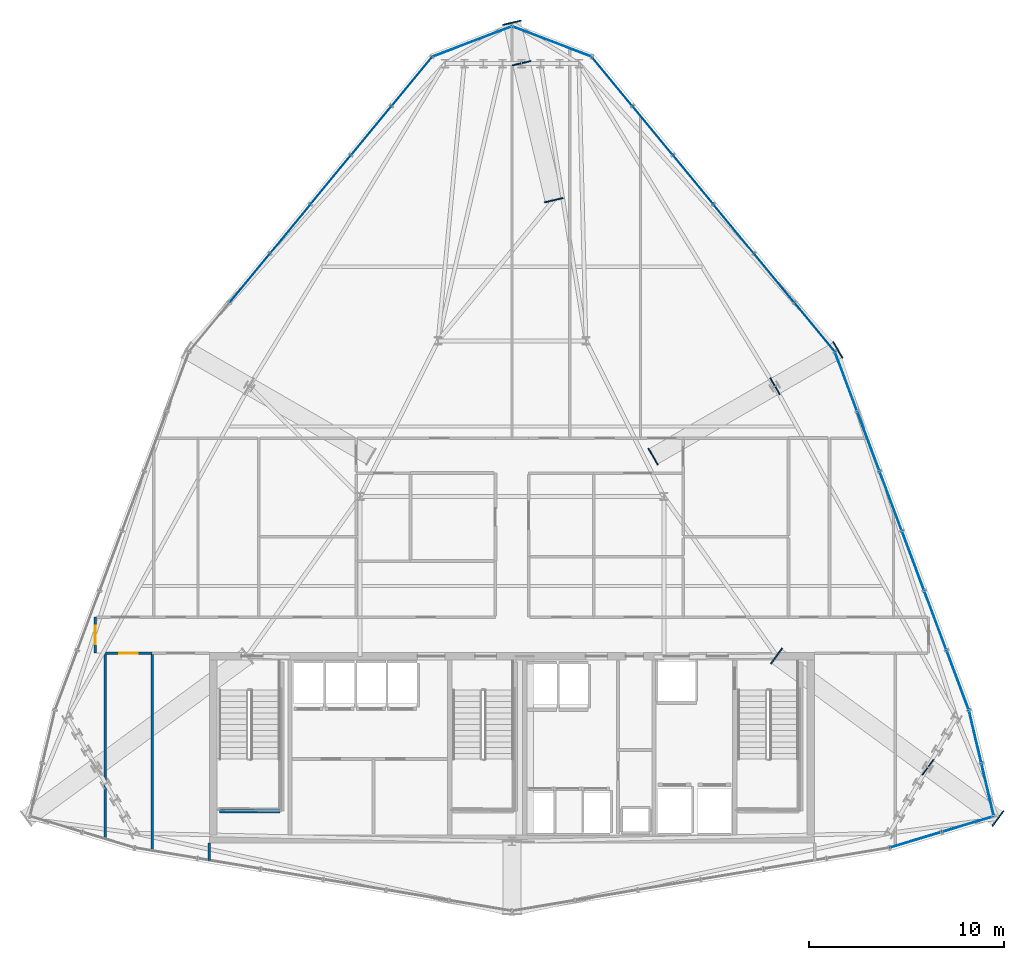
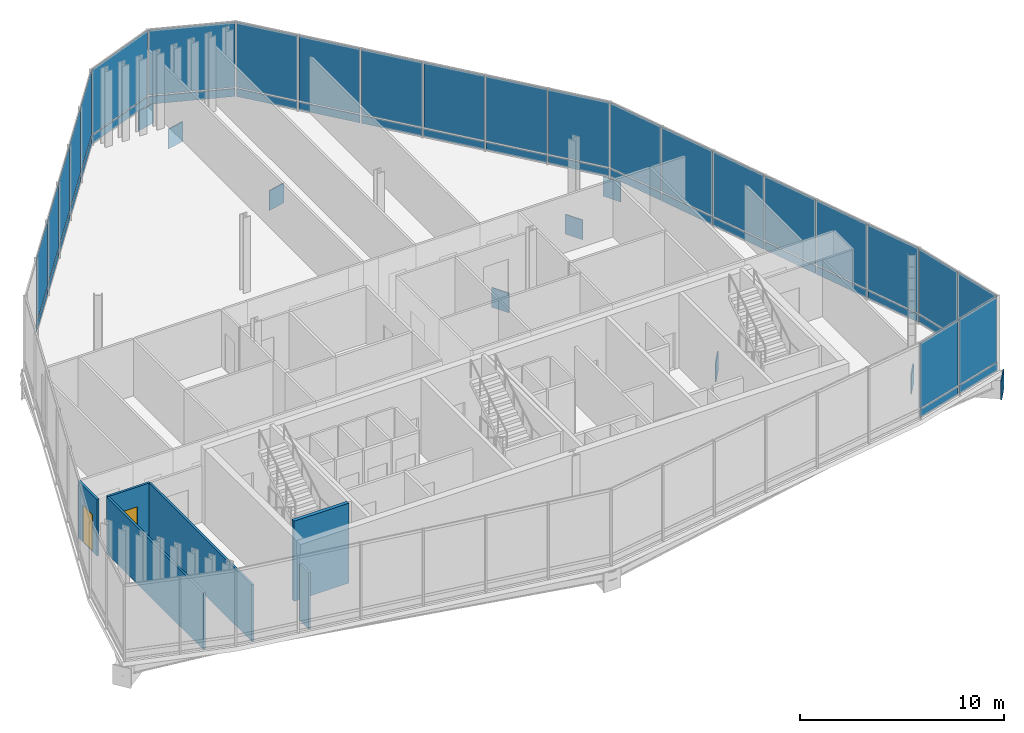
# One storey, part 22 of 29: 55 plates, 6 walls, 2 doors, 2 openings, 7 elements without a shape of their own.
"""IFC4 building model written with IfcOpenShell, lengths in metres."""

from ifc_helpers import new_model, si_unit, direction, frame, frame_2d, origin, origin_2d, place, context, subcontext, project, spatial, rectangle, extrude, material, layer, layer_set, type_object, element, fill, aggregate, save


model = new_model("IFC4")

# Units and contexts
model_context = context("Model", 3, precision=1e-05, world=origin(), true_north=direction((0.0, 1.0)))
body_context = subcontext(model_context, "Body", "Model", "MODEL_VIEW")
ifc_project = project(units=[si_unit("LENGTHUNIT", "METRE"), si_unit("AREAUNIT", "SQUARE_METRE"), si_unit("VOLUMEUNIT", "CUBIC_METRE"), si_unit("PLANEANGLEUNIT", "RADIAN"), si_unit("MASSUNIT", "GRAM", prefix="KILO")], contexts=[model_context])

# Site, building, storey
site_placement = place(None, origin())
site = spatial("IfcSite", under=ifc_project, at=site_placement, CompositionType="ELEMENT")
building_placement = place(site_placement, origin())
building = spatial("IfcBuilding", under=site, at=building_placement, Name="Ndaravel Arena Tower", CompositionType="ELEMENT")
storey_placement = place(building_placement, frame((0.0, 0.0, 208.39990234375)))
storey = spatial("IfcBuildingStorey", under=building, at=storey_placement, Name="L50", CompositionType="ELEMENT", Elevation=208.39990234375)

# Plates
ifc_material_1 = material(Name="Steel S460", Category="steel")
ifc_layer_1 = layer(ifc_material_1, 0.06005859375)
ifc_layer_set_1 = layer_set([ifc_layer_1], Name="Steel S460")
plate_type_1 = type_object("IfcPlateType", Name="PLT-CAP-STF1", PredefinedType="USERDEFINED", material=ifc_layer_set_1)
for number, where, z_axis, x_axis, name in (
    (1, (55.59130859375, 15.0087890625, -1.419921875), (0.0, 0.0, 1.0), (0.805824944182, -0.592153830802, 0.0), "L50 Hollow Section Sealed End Cap Plate HCP-046"),
    (2, (63.3701171875, 9.2919921875, -1.419921875), (0.0, 0.0, 1.0), (0.805824944182, -0.592153830802, 0.0), "L50 Hollow Section Sealed End Cap Plate HCP-047"),
    (3, (66.96142578125, 6.65234375, -1.419921875), (0.0, 0.0, 1.0), (0.805824944182, -0.592153830802, 0.0), "L50 Hollow Section Sealed End Cap Plate HCP-048"),
    (4, (49.24951171875, 25.251220703125, -1.419921875), (0.0, 0.0, 1.0), (0.866025403784, 0.5, 0.0), "L50 Hollow Section Sealed End Cap Plate HCP-049"),
    (5, (55.5107421875, 28.8662109375, -1.419921875), (0.0, 0.0, 1.0), (0.866025403784, 0.5, 0.0), "L50 Hollow Section Sealed End Cap Plate HCP-050"),
    (6, (58.740966796875, 30.731201171875, -1.419921875), (0.0, 0.0, 1.0), (0.866025403784, 0.5, 0.0), "L50 Hollow Section Sealed End Cap Plate HCP-051"),
    (7, (44.145263671875, 38.422119140625, -1.419921875), (0.0, 0.0, 1.0), (-0.22937027416, 0.973339240621, 0.0), "L50 Hollow Section Sealed End Cap Plate HCP-052"),
    (8, (42.48681640625, 45.45947265625, -1.419921875), (0.0, 0.0, 1.0), (-0.22937027416, 0.973339240621, 0.0), "L50 Hollow Section Sealed End Cap Plate HCP-053"),
    (9, (41.99658203125, 47.539306640625, -1.419921875), (0.0, 0.0, 1.0), (-0.22937027416, 0.973339240621, 0.0), "L50 Hollow Section Sealed End Cap Plate HCP-054"),
):
    element("IfcPlate", number, at=place(storey_placement, frame(where, z_axis=z_axis, x_axis=x_axis)), inside=storey, type_object=plate_type_1, Name=name, ObjectType="STIFFENER_PLATE", PredefinedType="USERDEFINED", context=body_context, shape_type="SweptSolid", body=[
        extrude(rectangle(XDim=0.06005859375, YDim=0.97998046875, at=origin_2d()), origin(), (0.0, 0.0, 1.0), 1.179931640625),
    ])

# Curtain wall, plates
ifc_material_2 = material(Name="Aluminium", Category="aluminium")
ifc_layer_2 = layer(ifc_material_2, 0.179931640625)
ifc_layer_set_2 = layer_set([ifc_layer_2], Name="Aluminium")
curtain_wall_type = type_object("IfcCurtainWallType", Name="CW-SYS-04", PredefinedType="NOTDEFINED", material=ifc_layer_set_2)
curtain_wall_1_placement = place(storey_placement, origin())
curtain_wall_1 = element("IfcCurtainWall", 10, at=curtain_wall_1_placement, inside=storey, type_object=curtain_wall_type, Name="L50 Faceted Crystal Curtain Wall CW-L50-E04", PredefinedType="NOTDEFINED")
ifc_material_3 = material(Name="Glazing", Category="glass")
ifc_layer_3 = layer(ifc_material_3, 0.0400390625)
ifc_layer_set_3 = layer_set([ifc_layer_3], Name="Glazing")
plate_type_2 = type_object("IfcPlateType", Name="PLT-GLZ-LOWIRON", PredefinedType="CURTAIN_PANEL", material=ifc_layer_set_3)
plate_1_placement = place(storey_placement, frame((62.734375, 5.559814453125, 0.59033203125), z_axis=(0.0, 0.0, 1.0), x_axis=(0.957576390633, 0.288179555317, 0.0)))
plate_1 = element("IfcPlate", 11, at=plate_1_placement, type_object=plate_type_2, Name="CW-L50-E04 Vision Glass Panel 01", PredefinedType="CURTAIN_PANEL", context=body_context, shape_type="SweptSolid", body=[
    extrude(rectangle(XDim=2.72216796875, YDim=0.035888671875, at=origin_2d()), origin(), (0.0, 0.0, 1.0), 3.889892578125),
])
plate_2_placement = place(storey_placement, frame((65.41748046875, 6.367431640625, 0.59033203125), z_axis=(0.0, 0.0, 1.0), x_axis=(0.957576390633, 0.288179555317, 0.0)))
plate_2 = element("IfcPlate", 12, at=plate_2_placement, type_object=plate_type_2, Name="CW-L50-E04 Vision Glass Panel 02", PredefinedType="CURTAIN_PANEL", context=body_context, shape_type="SweptSolid", body=[
    extrude(rectangle(XDim=2.72216796875, YDim=0.035888671875, at=origin_2d()), origin(), (0.0, 0.0, 1.0), 3.889892578125),
])

curtain_wall_2_placement = place(storey_placement, origin())
curtain_wall_2 = element("IfcCurtainWall", 13, at=curtain_wall_2_placement, inside=storey, type_object=curtain_wall_type, Name="L50 Faceted Crystal Curtain Wall CW-L50-E05", PredefinedType="NOTDEFINED")
plate_3_placement = place(storey_placement, frame((66.43798828125, 8.135009765625, 0.59033203125), z_axis=(0.0, 0.0, 1.0), x_axis=(-0.22921737956, 0.973375258011, 0.0)))
plate_3 = element("IfcPlate", 14, at=plate_3_placement, type_object=plate_type_2, Name="CW-L50-E05 Vision Glass Panel 01", PredefinedType="CURTAIN_PANEL", context=body_context, shape_type="SweptSolid", body=[
    extrude(rectangle(XDim=2.72216796875, YDim=0.035888671875, at=origin_2d()), origin(), (0.0, 0.0, 1.0), 3.889892578125),
])
plate_4_placement = place(storey_placement, frame((65.795654296875, 10.8623046875, 0.59033203125), z_axis=(0.0, 0.0, 1.0), x_axis=(-0.22921737956, 0.973375258011, 0.0)))
plate_4 = element("IfcPlate", 15, at=plate_4_placement, type_object=plate_type_2, Name="CW-L50-E05 Vision Glass Panel 02", PredefinedType="CURTAIN_PANEL", context=body_context, shape_type="SweptSolid", body=[
    extrude(rectangle(XDim=2.72216796875, YDim=0.035888671875, at=origin_2d()), origin(), (0.0, 0.0, 1.0), 3.889892578125),
])

curtain_wall_3_placement = place(storey_placement, origin())
curtain_wall_3 = element("IfcCurtainWall", 16, at=curtain_wall_3_placement, inside=storey, type_object=curtain_wall_type, Name="L50 Faceted Crystal Curtain Wall CW-L50-E06", PredefinedType="NOTDEFINED")
plate_5_placement = place(storey_placement, frame((64.900634765625, 13.7607421875, 0.59033203125), z_axis=(0.0, 0.0, 1.0), x_axis=(-0.350272772461, 0.936647737878, 0.0)))
plate_5 = element("IfcPlate", 17, at=plate_5_placement, type_object=plate_type_2, Name="CW-L50-E06 Vision Glass Panel 01", PredefinedType="CURTAIN_PANEL", context=body_context, shape_type="SweptSolid", body=[
    extrude(rectangle(XDim=3.197021484375, YDim=0.035888671875, at=origin_2d()), origin(), (0.0, 0.0, 1.0), 3.889892578125),
])
plate_6_placement = place(storey_placement, frame((63.752685546875, 16.830078125, 0.59033203125), z_axis=(0.0, 0.0, 1.0), x_axis=(-0.350272772461, 0.936647737878, 0.0)))
plate_6 = element("IfcPlate", 18, at=plate_6_placement, type_object=plate_type_2, Name="CW-L50-E06 Vision Glass Panel 02", PredefinedType="CURTAIN_PANEL", context=body_context, shape_type="SweptSolid", body=[
    extrude(rectangle(XDim=3.197021484375, YDim=0.035888671875, at=origin_2d()), origin(), (0.0, 0.0, 1.0), 3.889892578125),
])
plate_7_placement = place(storey_placement, frame((62.60498046875, 19.899658203125, 0.59033203125), z_axis=(0.0, 0.0, 1.0), x_axis=(-0.350272772461, 0.936647737878, 0.0)))
plate_7 = element("IfcPlate", 19, at=plate_7_placement, type_object=plate_type_2, Name="CW-L50-E06 Vision Glass Panel 03", PredefinedType="CURTAIN_PANEL", context=body_context, shape_type="SweptSolid", body=[
    extrude(rectangle(XDim=3.197021484375, YDim=0.035888671875, at=origin_2d()), origin(), (0.0, 0.0, 1.0), 3.889892578125),
])
plate_8_placement = place(storey_placement, frame((61.45703125, 22.968994140625, 0.59033203125), z_axis=(0.0, 0.0, 1.0), x_axis=(-0.350272772461, 0.936647737878, 0.0)))
plate_8 = element("IfcPlate", 20, at=plate_8_placement, type_object=plate_type_2, Name="CW-L50-E06 Vision Glass Panel 04", PredefinedType="CURTAIN_PANEL", context=body_context, shape_type="SweptSolid", body=[
    extrude(rectangle(XDim=3.197021484375, YDim=0.035888671875, at=origin_2d()), origin(), (0.0, 0.0, 1.0), 3.889892578125),
])
plate_9_placement = place(storey_placement, frame((60.30908203125, 26.03857421875, 0.59033203125), z_axis=(0.0, 0.0, 1.0), x_axis=(-0.350272772461, 0.936647737878, 0.0)))
plate_9 = element("IfcPlate", 21, at=plate_9_placement, type_object=plate_type_2, Name="CW-L50-E06 Vision Glass Panel 05", PredefinedType="CURTAIN_PANEL", context=body_context, shape_type="SweptSolid", body=[
    extrude(rectangle(XDim=3.197021484375, YDim=0.035888671875, at=origin_2d()), origin(), (0.0, 0.0, 1.0), 3.889892578125),
])
plate_10_placement = place(storey_placement, frame((59.161376953125, 29.10791015625, 0.59033203125), z_axis=(0.0, 0.0, 1.0), x_axis=(-0.350272772461, 0.936647737878, 0.0)))
plate_10 = element("IfcPlate", 22, at=plate_10_placement, type_object=plate_type_2, Name="CW-L50-E06 Vision Glass Panel 06", PredefinedType="CURTAIN_PANEL", context=body_context, shape_type="SweptSolid", body=[
    extrude(rectangle(XDim=3.197021484375, YDim=0.035888671875, at=origin_2d()), origin(), (0.0, 0.0, 1.0), 3.889892578125),
])

curtain_wall_4_placement = place(storey_placement, origin())
curtain_wall_4 = element("IfcCurtainWall", 23, at=curtain_wall_4_placement, inside=storey, type_object=curtain_wall_type, Name="L50 Faceted Crystal Curtain Wall CW-L50-E07", PredefinedType="NOTDEFINED")
plate_11_placement = place(storey_placement, frame((57.547119140625, 31.90478515625, 0.59033203125), z_axis=(0.0, 0.0, 1.0), x_axis=(-0.636024349169, 0.771668988144, 0.0)))
plate_11 = element("IfcPlate", 24, at=plate_11_placement, type_object=plate_type_2, Name="CW-L50-E07 Vision Glass Panel 01", PredefinedType="CURTAIN_PANEL", context=body_context, shape_type="SweptSolid", body=[
    extrude(rectangle(XDim=3.191650390625, YDim=0.035888671875, at=origin_2d()), origin(), (0.0, 0.0, 1.0), 3.889892578125),
])
plate_12_placement = place(storey_placement, frame((55.466064453125, 34.429443359375, 0.59033203125), z_axis=(0.0, 0.0, 1.0), x_axis=(-0.636024349169, 0.771668988144, 0.0)))
plate_12 = element("IfcPlate", 25, at=plate_12_placement, type_object=plate_type_2, Name="CW-L50-E07 Vision Glass Panel 02", PredefinedType="CURTAIN_PANEL", context=body_context, shape_type="SweptSolid", body=[
    extrude(rectangle(XDim=3.191650390625, YDim=0.035888671875, at=origin_2d()), origin(), (0.0, 0.0, 1.0), 3.889892578125),
])
plate_13_placement = place(storey_placement, frame((53.38525390625, 36.9541015625, 0.59033203125), z_axis=(0.0, 0.0, 1.0), x_axis=(-0.636024349169, 0.771668988144, 0.0)))
plate_13 = element("IfcPlate", 26, at=plate_13_placement, type_object=plate_type_2, Name="CW-L50-E07 Vision Glass Panel 03", PredefinedType="CURTAIN_PANEL", context=body_context, shape_type="SweptSolid", body=[
    extrude(rectangle(XDim=3.191650390625, YDim=0.035888671875, at=origin_2d()), origin(), (0.0, 0.0, 1.0), 3.889892578125),
])
plate_14_placement = place(storey_placement, frame((51.304443359375, 39.478759765625, 0.59033203125), z_axis=(0.0, 0.0, 1.0), x_axis=(-0.636024349169, 0.771668988144, 0.0)))
plate_14 = element("IfcPlate", 27, at=plate_14_placement, type_object=plate_type_2, Name="CW-L50-E07 Vision Glass Panel 04", PredefinedType="CURTAIN_PANEL", context=body_context, shape_type="SweptSolid", body=[
    extrude(rectangle(XDim=3.191650390625, YDim=0.035888671875, at=origin_2d()), origin(), (0.0, 0.0, 1.0), 3.889892578125),
])
plate_15_placement = place(storey_placement, frame((49.2236328125, 42.00341796875, 0.59033203125), z_axis=(0.0, 0.0, 1.0), x_axis=(-0.636024349169, 0.771668988144, 0.0)))
plate_15 = element("IfcPlate", 28, at=plate_15_placement, type_object=plate_type_2, Name="CW-L50-E07 Vision Glass Panel 05", PredefinedType="CURTAIN_PANEL", context=body_context, shape_type="SweptSolid", body=[
    extrude(rectangle(XDim=3.191650390625, YDim=0.035888671875, at=origin_2d()), origin(), (0.0, 0.0, 1.0), 3.889892578125),
])
plate_16_placement = place(storey_placement, frame((47.142578125, 44.528076171875, 0.59033203125), z_axis=(0.0, 0.0, 1.0), x_axis=(-0.636024349169, 0.771668988144, 0.0)))
plate_16 = element("IfcPlate", 29, at=plate_16_placement, type_object=plate_type_2, Name="CW-L50-E07 Vision Glass Panel 06", PredefinedType="CURTAIN_PANEL", context=body_context, shape_type="SweptSolid", body=[
    extrude(rectangle(XDim=3.191650390625, YDim=0.035888671875, at=origin_2d()), origin(), (0.0, 0.0, 1.0), 3.889892578125),
])

# Curtain wall, plate
curtain_wall_5_placement = place(storey_placement, origin())
curtain_wall_5 = element("IfcCurtainWall", 30, at=curtain_wall_5_placement, inside=storey, type_object=curtain_wall_type, Name="L50 Faceted Crystal Curtain Wall CW-L50-E08", PredefinedType="NOTDEFINED")
plate_17_placement = place(storey_placement, frame((44.051025390625, 46.572021484375, 0.59033203125), z_axis=(0.0, 0.0, 1.0), x_axis=(-0.934453296747, 0.356085714679, 0.0)))
plate_17 = element("IfcPlate", 31, at=plate_17_placement, type_object=plate_type_2, Name="CW-L50-E08 Vision Glass Panel 01", PredefinedType="CURTAIN_PANEL", context=body_context, shape_type="SweptSolid", body=[
    extrude(rectangle(XDim=4.31005859375, YDim=0.035888671875, at=origin_2d()), origin(), (0.0, 0.0, 1.0), 3.889892578125),
])

curtain_wall_6_placement = place(storey_placement, origin())
curtain_wall_6 = element("IfcCurtainWall", 32, at=curtain_wall_6_placement, inside=storey, type_object=curtain_wall_type, Name="L50 Faceted Crystal Curtain Wall CW-L50-E09", PredefinedType="NOTDEFINED")
plate_18_placement = place(storey_placement, frame((39.948974609375, 46.572021484375, 0.59033203125), z_axis=(0.0, 0.0, 1.0), x_axis=(-0.934453296747, -0.356085714679, 0.0)))
plate_18 = element("IfcPlate", 33, at=plate_18_placement, type_object=plate_type_2, Name="CW-L50-E09 Vision Glass Panel 01", PredefinedType="CURTAIN_PANEL", context=body_context, shape_type="SweptSolid", body=[
    extrude(rectangle(XDim=4.31005859375, YDim=0.035888671875, at=origin_2d()), origin(), (0.0, 0.0, 1.0), 3.889892578125),
])

# Curtain wall, plates
curtain_wall_7_placement = place(storey_placement, origin())
curtain_wall_7 = element("IfcCurtainWall", 34, at=curtain_wall_7_placement, inside=storey, type_object=curtain_wall_type, Name="L50 Faceted Crystal Curtain Wall CW-L50-E10", PredefinedType="NOTDEFINED")
plate_19_placement = place(storey_placement, frame((36.857421875, 44.528076171875, 0.59033203125), z_axis=(0.0, 0.0, 1.0), x_axis=(-0.636024349169, -0.771668988144, 0.0)))
plate_19 = element("IfcPlate", 35, at=plate_19_placement, type_object=plate_type_2, Name="CW-L50-E10 Vision Glass Panel 01", PredefinedType="CURTAIN_PANEL", context=body_context, shape_type="SweptSolid", body=[
    extrude(rectangle(XDim=3.191650390625, YDim=0.035888671875, at=origin_2d()), origin(), (0.0, 0.0, 1.0), 3.889892578125),
])
plate_20_placement = place(storey_placement, frame((34.7763671875, 42.00341796875, 0.59033203125), z_axis=(0.0, 0.0, 1.0), x_axis=(-0.636024349169, -0.771668988144, 0.0)))
plate_20 = element("IfcPlate", 36, at=plate_20_placement, type_object=plate_type_2, Name="CW-L50-E10 Vision Glass Panel 02", PredefinedType="CURTAIN_PANEL", context=body_context, shape_type="SweptSolid", body=[
    extrude(rectangle(XDim=3.191650390625, YDim=0.035888671875, at=origin_2d()), origin(), (0.0, 0.0, 1.0), 3.889892578125),
])
plate_21_placement = place(storey_placement, frame((32.695556640625, 39.478759765625, 0.59033203125), z_axis=(0.0, 0.0, 1.0), x_axis=(-0.636024349169, -0.771668988144, 0.0)))
plate_21 = element("IfcPlate", 37, at=plate_21_placement, type_object=plate_type_2, Name="CW-L50-E10 Vision Glass Panel 03", PredefinedType="CURTAIN_PANEL", context=body_context, shape_type="SweptSolid", body=[
    extrude(rectangle(XDim=3.191650390625, YDim=0.035888671875, at=origin_2d()), origin(), (0.0, 0.0, 1.0), 3.889892578125),
])
plate_22_placement = place(storey_placement, frame((30.61474609375, 36.9541015625, 0.59033203125), z_axis=(0.0, 0.0, 1.0), x_axis=(-0.636024349169, -0.771668988144, 0.0)))
plate_22 = element("IfcPlate", 38, at=plate_22_placement, type_object=plate_type_2, Name="CW-L50-E10 Vision Glass Panel 04", PredefinedType="CURTAIN_PANEL", context=body_context, shape_type="SweptSolid", body=[
    extrude(rectangle(XDim=3.191650390625, YDim=0.035888671875, at=origin_2d()), origin(), (0.0, 0.0, 1.0), 3.889892578125),
])
plate_23_placement = place(storey_placement, frame((28.533935546875, 34.429443359375, 0.59033203125), z_axis=(0.0, 0.0, 1.0), x_axis=(-0.636024349169, -0.771668988144, 0.0)))
plate_23 = element("IfcPlate", 39, at=plate_23_placement, type_object=plate_type_2, Name="CW-L50-E10 Vision Glass Panel 05", PredefinedType="CURTAIN_PANEL", context=body_context, shape_type="SweptSolid", body=[
    extrude(rectangle(XDim=3.191650390625, YDim=0.035888671875, at=origin_2d()), origin(), (0.0, 0.0, 1.0), 3.889892578125),
])

# Plate
ifc_material_4 = material(Name="Aluminium", Category="aluminium")
ifc_layer_4 = layer(ifc_material_4, 0.044921875)
ifc_layer_set_4 = layer_set([ifc_layer_4], Name="Aluminium")
plate_type_3 = type_object("IfcPlateType", Name="PLT-SPANDREL-ALU", PredefinedType="SHEET", material=ifc_layer_set_4)
plate_24_placement = place(storey_placement, frame((62.734375, 5.559814453125, 0.0400390625), z_axis=(0.0, 0.0, 1.0), x_axis=(0.957576390633, 0.288179555317, 0.0)))
plate_24 = element("IfcPlate", 40, at=plate_24_placement, type_object=plate_type_3, Name="CW-L50-E04 Spandrel Panel 01", PredefinedType="SHEET", context=body_context, shape_type="SweptSolid", body=[
    extrude(rectangle(XDim=2.72216796875, YDim=0.044921875, at=origin_2d()), origin(), (0.0, 0.0, 1.0), 0.469970703125),
])

plate_25_placement = place(storey_placement, frame((65.41748046875, 6.367431640625, 0.0400390625), z_axis=(0.0, 0.0, 1.0), x_axis=(0.957576390633, 0.288179555317, 0.0)))
plate_25 = element("IfcPlate", 41, at=plate_25_placement, type_object=plate_type_3, Name="CW-L50-E04 Spandrel Panel 02", PredefinedType="SHEET", context=body_context, shape_type="SweptSolid", body=[
    extrude(rectangle(XDim=2.72216796875, YDim=0.044921875, at=origin_2d()), origin(), (0.0, 0.0, 1.0), 0.469970703125),
])

aggregate(curtain_wall_1, [plate_24, plate_1, plate_25, plate_2])

plate_26_placement = place(storey_placement, frame((66.43798828125, 8.135009765625, 0.0400390625), z_axis=(0.0, 0.0, 1.0), x_axis=(-0.22921737956, 0.973375258011, 0.0)))
plate_26 = element("IfcPlate", 42, at=plate_26_placement, type_object=plate_type_3, Name="CW-L50-E05 Spandrel Panel 01", PredefinedType="SHEET", context=body_context, shape_type="SweptSolid", body=[
    extrude(rectangle(XDim=2.72216796875, YDim=0.044921875, at=origin_2d()), origin(), (0.0, 0.0, 1.0), 0.469970703125),
])

plate_27_placement = place(storey_placement, frame((65.795654296875, 10.8623046875, 0.0400390625), z_axis=(0.0, 0.0, 1.0), x_axis=(-0.22921737956, 0.973375258011, 0.0)))
plate_27 = element("IfcPlate", 43, at=plate_27_placement, type_object=plate_type_3, Name="CW-L50-E05 Spandrel Panel 02", PredefinedType="SHEET", context=body_context, shape_type="SweptSolid", body=[
    extrude(rectangle(XDim=2.72216796875, YDim=0.044921875, at=origin_2d()), origin(), (0.0, 0.0, 1.0), 0.469970703125),
])

aggregate(curtain_wall_2, [plate_26, plate_3, plate_27, plate_4])

plate_28_placement = place(storey_placement, frame((64.900634765625, 13.7607421875, 0.0400390625), z_axis=(0.0, 0.0, 1.0), x_axis=(-0.350272772461, 0.936647737878, 0.0)))
plate_28 = element("IfcPlate", 44, at=plate_28_placement, type_object=plate_type_3, Name="CW-L50-E06 Spandrel Panel 01", PredefinedType="SHEET", context=body_context, shape_type="SweptSolid", body=[
    extrude(rectangle(XDim=3.197021484375, YDim=0.044921875, at=origin_2d()), origin(), (0.0, 0.0, 1.0), 0.469970703125),
])

plate_29_placement = place(storey_placement, frame((63.752685546875, 16.830078125, 0.0400390625), z_axis=(0.0, 0.0, 1.0), x_axis=(-0.350272772461, 0.936647737878, 0.0)))
plate_29 = element("IfcPlate", 45, at=plate_29_placement, type_object=plate_type_3, Name="CW-L50-E06 Spandrel Panel 02", PredefinedType="SHEET", context=body_context, shape_type="SweptSolid", body=[
    extrude(rectangle(XDim=3.197021484375, YDim=0.044921875, at=origin_2d()), origin(), (0.0, 0.0, 1.0), 0.469970703125),
])

plate_30_placement = place(storey_placement, frame((62.60498046875, 19.899658203125, 0.0400390625), z_axis=(0.0, 0.0, 1.0), x_axis=(-0.350272772461, 0.936647737878, 0.0)))
plate_30 = element("IfcPlate", 46, at=plate_30_placement, type_object=plate_type_3, Name="CW-L50-E06 Spandrel Panel 03", PredefinedType="SHEET", context=body_context, shape_type="SweptSolid", body=[
    extrude(rectangle(XDim=3.197021484375, YDim=0.044921875, at=origin_2d()), origin(), (0.0, 0.0, 1.0), 0.469970703125),
])

plate_31_placement = place(storey_placement, frame((61.45703125, 22.968994140625, 0.0400390625), z_axis=(0.0, 0.0, 1.0), x_axis=(-0.350272772461, 0.936647737878, 0.0)))
plate_31 = element("IfcPlate", 47, at=plate_31_placement, type_object=plate_type_3, Name="CW-L50-E06 Spandrel Panel 04", PredefinedType="SHEET", context=body_context, shape_type="SweptSolid", body=[
    extrude(rectangle(XDim=3.197021484375, YDim=0.044921875, at=origin_2d()), origin(), (0.0, 0.0, 1.0), 0.469970703125),
])

plate_32_placement = place(storey_placement, frame((60.30908203125, 26.03857421875, 0.0400390625), z_axis=(0.0, 0.0, 1.0), x_axis=(-0.350272772461, 0.936647737878, 0.0)))
plate_32 = element("IfcPlate", 48, at=plate_32_placement, type_object=plate_type_3, Name="CW-L50-E06 Spandrel Panel 05", PredefinedType="SHEET", context=body_context, shape_type="SweptSolid", body=[
    extrude(rectangle(XDim=3.197021484375, YDim=0.044921875, at=origin_2d()), origin(), (0.0, 0.0, 1.0), 0.469970703125),
])

plate_33_placement = place(storey_placement, frame((59.161376953125, 29.10791015625, 0.0400390625), z_axis=(0.0, 0.0, 1.0), x_axis=(-0.350272772461, 0.936647737878, 0.0)))
plate_33 = element("IfcPlate", 49, at=plate_33_placement, type_object=plate_type_3, Name="CW-L50-E06 Spandrel Panel 06", PredefinedType="SHEET", context=body_context, shape_type="SweptSolid", body=[
    extrude(rectangle(XDim=3.197021484375, YDim=0.044921875, at=origin_2d()), origin(), (0.0, 0.0, 1.0), 0.469970703125),
])

aggregate(curtain_wall_3, [plate_28, plate_5, plate_29, plate_6, plate_30, plate_7, plate_31, plate_8, plate_32, plate_9, plate_33, plate_10])

plate_34_placement = place(storey_placement, frame((57.547119140625, 31.90478515625, 0.0400390625), z_axis=(0.0, 0.0, 1.0), x_axis=(-0.636024349169, 0.771668988144, 0.0)))
plate_34 = element("IfcPlate", 50, at=plate_34_placement, type_object=plate_type_3, Name="CW-L50-E07 Spandrel Panel 01", PredefinedType="SHEET", context=body_context, shape_type="SweptSolid", body=[
    extrude(rectangle(XDim=3.191650390625, YDim=0.044921875, at=origin_2d()), origin(), (0.0, 0.0, 1.0), 0.469970703125),
])

plate_35_placement = place(storey_placement, frame((55.466064453125, 34.429443359375, 0.0400390625), z_axis=(0.0, 0.0, 1.0), x_axis=(-0.636024349169, 0.771668988144, 0.0)))
plate_35 = element("IfcPlate", 51, at=plate_35_placement, type_object=plate_type_3, Name="CW-L50-E07 Spandrel Panel 02", PredefinedType="SHEET", context=body_context, shape_type="SweptSolid", body=[
    extrude(rectangle(XDim=3.191650390625, YDim=0.044921875, at=origin_2d()), origin(), (0.0, 0.0, 1.0), 0.469970703125),
])

plate_36_placement = place(storey_placement, frame((53.38525390625, 36.9541015625, 0.0400390625), z_axis=(0.0, 0.0, 1.0), x_axis=(-0.636024349169, 0.771668988144, 0.0)))
plate_36 = element("IfcPlate", 52, at=plate_36_placement, type_object=plate_type_3, Name="CW-L50-E07 Spandrel Panel 03", PredefinedType="SHEET", context=body_context, shape_type="SweptSolid", body=[
    extrude(rectangle(XDim=3.191650390625, YDim=0.044921875, at=origin_2d()), origin(), (0.0, 0.0, 1.0), 0.469970703125),
])

plate_37_placement = place(storey_placement, frame((51.304443359375, 39.478759765625, 0.0400390625), z_axis=(0.0, 0.0, 1.0), x_axis=(-0.636024349169, 0.771668988144, 0.0)))
plate_37 = element("IfcPlate", 53, at=plate_37_placement, type_object=plate_type_3, Name="CW-L50-E07 Spandrel Panel 04", PredefinedType="SHEET", context=body_context, shape_type="SweptSolid", body=[
    extrude(rectangle(XDim=3.191650390625, YDim=0.044921875, at=origin_2d()), origin(), (0.0, 0.0, 1.0), 0.469970703125),
])

plate_38_placement = place(storey_placement, frame((49.2236328125, 42.00341796875, 0.0400390625), z_axis=(0.0, 0.0, 1.0), x_axis=(-0.636024349169, 0.771668988144, 0.0)))
plate_38 = element("IfcPlate", 54, at=plate_38_placement, type_object=plate_type_3, Name="CW-L50-E07 Spandrel Panel 05", PredefinedType="SHEET", context=body_context, shape_type="SweptSolid", body=[
    extrude(rectangle(XDim=3.191650390625, YDim=0.044921875, at=origin_2d()), origin(), (0.0, 0.0, 1.0), 0.469970703125),
])

plate_39_placement = place(storey_placement, frame((47.142578125, 44.528076171875, 0.0400390625), z_axis=(0.0, 0.0, 1.0), x_axis=(-0.636024349169, 0.771668988144, 0.0)))
plate_39 = element("IfcPlate", 55, at=plate_39_placement, type_object=plate_type_3, Name="CW-L50-E07 Spandrel Panel 06", PredefinedType="SHEET", context=body_context, shape_type="SweptSolid", body=[
    extrude(rectangle(XDim=3.191650390625, YDim=0.044921875, at=origin_2d()), origin(), (0.0, 0.0, 1.0), 0.469970703125),
])

aggregate(curtain_wall_4, [plate_34, plate_11, plate_35, plate_12, plate_36, plate_13, plate_37, plate_14, plate_38, plate_15, plate_39, plate_16])

plate_40_placement = place(storey_placement, frame((44.051025390625, 46.572021484375, 0.0400390625), z_axis=(0.0, 0.0, 1.0), x_axis=(-0.934453296747, 0.356085714679, 0.0)))
plate_40 = element("IfcPlate", 56, at=plate_40_placement, type_object=plate_type_3, Name="CW-L50-E08 Spandrel Panel 01", PredefinedType="SHEET", context=body_context, shape_type="SweptSolid", body=[
    extrude(rectangle(XDim=4.31005859375, YDim=0.044921875, at=origin_2d()), origin(), (0.0, 0.0, 1.0), 0.469970703125),
])

aggregate(curtain_wall_5, [plate_40, plate_17])

plate_41_placement = place(storey_placement, frame((39.948974609375, 46.572021484375, 0.0400390625), z_axis=(0.0, 0.0, 1.0), x_axis=(-0.934453296747, -0.356085714679, 0.0)))
plate_41 = element("IfcPlate", 57, at=plate_41_placement, type_object=plate_type_3, Name="CW-L50-E09 Spandrel Panel 01", PredefinedType="SHEET", context=body_context, shape_type="SweptSolid", body=[
    extrude(rectangle(XDim=4.31005859375, YDim=0.044921875, at=origin_2d()), origin(), (0.0, 0.0, 1.0), 0.469970703125),
])

aggregate(curtain_wall_6, [plate_41, plate_18])

plate_42_placement = place(storey_placement, frame((36.857421875, 44.528076171875, 0.0400390625), z_axis=(0.0, 0.0, 1.0), x_axis=(-0.636024349169, -0.771668988144, 0.0)))
plate_42 = element("IfcPlate", 58, at=plate_42_placement, type_object=plate_type_3, Name="CW-L50-E10 Spandrel Panel 01", PredefinedType="SHEET", context=body_context, shape_type="SweptSolid", body=[
    extrude(rectangle(XDim=3.191650390625, YDim=0.044921875, at=origin_2d()), origin(), (0.0, 0.0, 1.0), 0.469970703125),
])

plate_43_placement = place(storey_placement, frame((34.7763671875, 42.00341796875, 0.0400390625), z_axis=(0.0, 0.0, 1.0), x_axis=(-0.636024349169, -0.771668988144, 0.0)))
plate_43 = element("IfcPlate", 59, at=plate_43_placement, type_object=plate_type_3, Name="CW-L50-E10 Spandrel Panel 02", PredefinedType="SHEET", context=body_context, shape_type="SweptSolid", body=[
    extrude(rectangle(XDim=3.191650390625, YDim=0.044921875, at=origin_2d()), origin(), (0.0, 0.0, 1.0), 0.469970703125),
])

plate_44_placement = place(storey_placement, frame((32.695556640625, 39.478759765625, 0.0400390625), z_axis=(0.0, 0.0, 1.0), x_axis=(-0.636024349169, -0.771668988144, 0.0)))
plate_44 = element("IfcPlate", 60, at=plate_44_placement, type_object=plate_type_3, Name="CW-L50-E10 Spandrel Panel 03", PredefinedType="SHEET", context=body_context, shape_type="SweptSolid", body=[
    extrude(rectangle(XDim=3.191650390625, YDim=0.044921875, at=origin_2d()), origin(), (0.0, 0.0, 1.0), 0.469970703125),
])

plate_45_placement = place(storey_placement, frame((30.61474609375, 36.9541015625, 0.0400390625), z_axis=(0.0, 0.0, 1.0), x_axis=(-0.636024349169, -0.771668988144, 0.0)))
plate_45 = element("IfcPlate", 61, at=plate_45_placement, type_object=plate_type_3, Name="CW-L50-E10 Spandrel Panel 04", PredefinedType="SHEET", context=body_context, shape_type="SweptSolid", body=[
    extrude(rectangle(XDim=3.191650390625, YDim=0.044921875, at=origin_2d()), origin(), (0.0, 0.0, 1.0), 0.469970703125),
])

plate_46_placement = place(storey_placement, frame((28.533935546875, 34.429443359375, 0.0400390625), z_axis=(0.0, 0.0, 1.0), x_axis=(-0.636024349169, -0.771668988144, 0.0)))
plate_46 = element("IfcPlate", 62, at=plate_46_placement, type_object=plate_type_3, Name="CW-L50-E10 Spandrel Panel 05", PredefinedType="SHEET", context=body_context, shape_type="SweptSolid", body=[
    extrude(rectangle(XDim=3.191650390625, YDim=0.044921875, at=origin_2d()), origin(), (0.0, 0.0, 1.0), 0.469970703125),
])

aggregate(curtain_wall_7, [plate_42, plate_19, plate_43, plate_20, plate_44, plate_21, plate_45, plate_22, plate_46, plate_23])

# Wall, opening, door
ifc_material_5 = material(Name="Gypsum", Category="gypsum")
ifc_layer_5 = layer(ifc_material_5, 0.125)
ifc_layer_set_5 = layer_set([ifc_layer_5], Name="Gypsum")
wall_type_1 = type_object("IfcWallType", Name="WALL-PART-125", PredefinedType="PARTITIONING", material=ifc_layer_set_5)
wall_1_placement = place(storey_placement, frame((23.51220703125, 15.14990234375, 0.0), z_axis=(0.0, 0.0, 1.0), x_axis=(-1.0, 0.0, 0.0)))
wall_1 = element("IfcWall", 63, at=wall_1_placement, inside=storey, type_object=wall_type_1, Name="L50 Interior Partition 005", PredefinedType="PARTITIONING", context=body_context, shape_type="SweptSolid", body=[
    extrude(rectangle(XDim=2.403564453125, YDim=0.125, at=frame_2d((1.20166015625, 0.0))), origin(), (0.0, 0.0, 1.0), 3.39013671875),
])
opening_1_placement = place(wall_1_placement, frame((0.726806640625, 0.0, 0.0)))
opening_1 = element("IfcOpeningElement", 64, at=opening_1_placement, cuts=wall_1, Name="Opening ID-01", PredefinedType="OPENING", context=body_context, shape_type="SweptSolid", body=[
    extrude(rectangle(XDim=0.949951171875, YDim=2.199951171875, at=frame_2d((0.47509765625, 1.10009765625))), frame((0.0, 0.0625, 0.0), z_axis=(0.0, -1.0, 0.0), x_axis=(1.0, 0.0, 0.0)), (0.0, 0.0, 1.0), 0.125),
])
ifc_material_6 = material(Name="Timber", Category="wood")
door_type = type_object("IfcDoorType", Name="DT-03-OFFICE-950", OperationType="SINGLE_SWING_LEFT", PredefinedType="DOOR", material=ifc_material_6)
door_1_placement = place(opening_1_placement, origin())
door_1 = element("IfcDoor", 65, at=door_1_placement, inside=storey, type_object=door_type, Name="L50 Open Plan Workplace Door", OperationType="SINGLE_SWING_LEFT", OverallHeight=2.199951171875, OverallWidth=0.949951171875, PredefinedType="DOOR", context=body_context, shape_type="SweptSolid", body=[
    extrude(rectangle(XDim=0.949951171875, YDim=2.199951171875, at=frame_2d((0.47509765625, 1.10009765625))), frame((0.0, 0.02490234375, 0.0), z_axis=(0.0, -1.0, 0.0), x_axis=(1.0, 0.0, 0.0)), (0.0, 0.0, 1.0), 0.050048828125),
])
fill(opening_1, door_1)

wall_2_placement = place(storey_placement, frame((20.593017578125, 15.14990234375, 0.0), z_axis=(0.0, 0.0, 1.0), x_axis=(0.0, 1.0, 0.0)))
wall_2 = element("IfcWall", 66, at=wall_2_placement, inside=storey, type_object=wall_type_1, Name="L50 Interior Partition 006", PredefinedType="PARTITIONING", context=body_context, shape_type="SweptSolid", body=[
    extrude(rectangle(XDim=1.85009765625, YDim=0.125, at=frame_2d((0.925048828125, 0.0))), origin(), (0.0, 0.0, 1.0), 3.39013671875),
])
opening_2_placement = place(wall_2_placement, frame((0.449951171875, 0.0, 0.0)))
opening_2 = element("IfcOpeningElement", 67, at=opening_2_placement, cuts=wall_2, Name="Opening ID-01", PredefinedType="OPENING", context=body_context, shape_type="SweptSolid", body=[
    extrude(rectangle(XDim=0.949951171875, YDim=2.199951171875, at=frame_2d((0.47509765625, 1.10009765625))), frame((0.0, 0.0625, 0.0), z_axis=(0.0, -1.0, 0.0), x_axis=(1.0, 0.0, 0.0)), (0.0, 0.0, 1.0), 0.125),
])
door_2_placement = place(opening_2_placement, origin())
door_2 = element("IfcDoor", 68, at=door_2_placement, inside=storey, type_object=door_type, Name="L50 Quiet Reading Library Door", OperationType="SINGLE_SWING_RIGHT", OverallHeight=2.199951171875, OverallWidth=0.949951171875, PredefinedType="DOOR", context=body_context, shape_type="SweptSolid", body=[
    extrude(rectangle(XDim=0.949951171875, YDim=2.199951171875, at=frame_2d((0.47509765625, 1.10009765625))), frame((0.0, 0.02490234375, 0.0), z_axis=(0.0, -1.0, 0.0), x_axis=(1.0, 0.0, 0.0)), (0.0, 0.0, 1.0), 0.050048828125),
])
fill(opening_2, door_2)

# Walls
wall_3_placement = place(storey_placement, frame((26.449951171875, 5.39794921875, 0.0), z_axis=(0.0, 0.0, 1.0), x_axis=(0.0, -1.0, 0.0)))
element("IfcWall", 69, at=wall_3_placement, inside=storey, type_object=wall_type_1, Name="L50 Interior Partition 035", PredefinedType="PARTITIONING", context=body_context, shape_type="SweptSolid", body=[
    extrude(rectangle(XDim=0.884765625, YDim=0.125, at=frame_2d((0.4423828125, 0.0))), origin(), (0.0, 0.0, 1.0), 3.39013671875),
])
wall_4_placement = place(storey_placement, frame((23.51220703125, 5.004638671875, 0.0), z_axis=(0.0, 0.0, 1.0), x_axis=(0.0, 1.0, 0.0)))
element("IfcWall", 70, at=wall_4_placement, inside=storey, type_object=wall_type_1, Name="L50 Interior Partition 036", PredefinedType="PARTITIONING", context=body_context, shape_type="SweptSolid", body=[
    extrude(rectangle(XDim=10.080322265625, YDim=0.125, at=frame_2d((5.0400390625, 0.0))), origin(), (0.0, 0.0, 1.0), 3.39013671875),
])
wall_5_placement = place(storey_placement, frame((21.108642578125, 5.607177734375, 0.0), z_axis=(0.0, 0.0, 1.0), x_axis=(0.0, 1.0, 0.0)))
element("IfcWall", 71, at=wall_5_placement, inside=storey, type_object=wall_type_1, Name="L50 Interior Partition 039", PredefinedType="PARTITIONING", context=body_context, shape_type="SweptSolid", body=[
    extrude(rectangle(XDim=9.477783203125, YDim=0.125, at=frame_2d((4.73876953125, 0.0))), origin(), (0.0, 0.0, 1.0), 3.39013671875),
])
ifc_material_7 = material(Name="Concrete C40/50", Category="concrete")
ifc_layer_6 = layer(ifc_material_7, 0.199951171875)
ifc_layer_set_6 = layer_set([ifc_layer_6], Name="Concrete C40/50")
wall_type_2 = type_object("IfcWallType", Name="WALL-SHAFT-200", PredefinedType="SOLIDWALL", material=ifc_layer_set_6)
wall_6_placement = place(storey_placement, frame((26.969970703125, 7.050048828125, 0.0), z_axis=(0.0, 0.0, 1.0), x_axis=(1.0, 0.0, 0.0)))
element("IfcWall", 72, at=wall_6_placement, inside=storey, type_object=wall_type_2, Name="L50 ST-1 Structural Shaft Wall Far", PredefinedType="SOLIDWALL", context=body_context, shape_type="SweptSolid", body=[
    extrude(rectangle(XDim=3.114990234375, YDim=0.199951171875, at=frame_2d((1.5576171875, 0.0))), origin(), (0.0, 0.0, 1.0), 4.800048828125),
])

save(model, "model.ifc")
